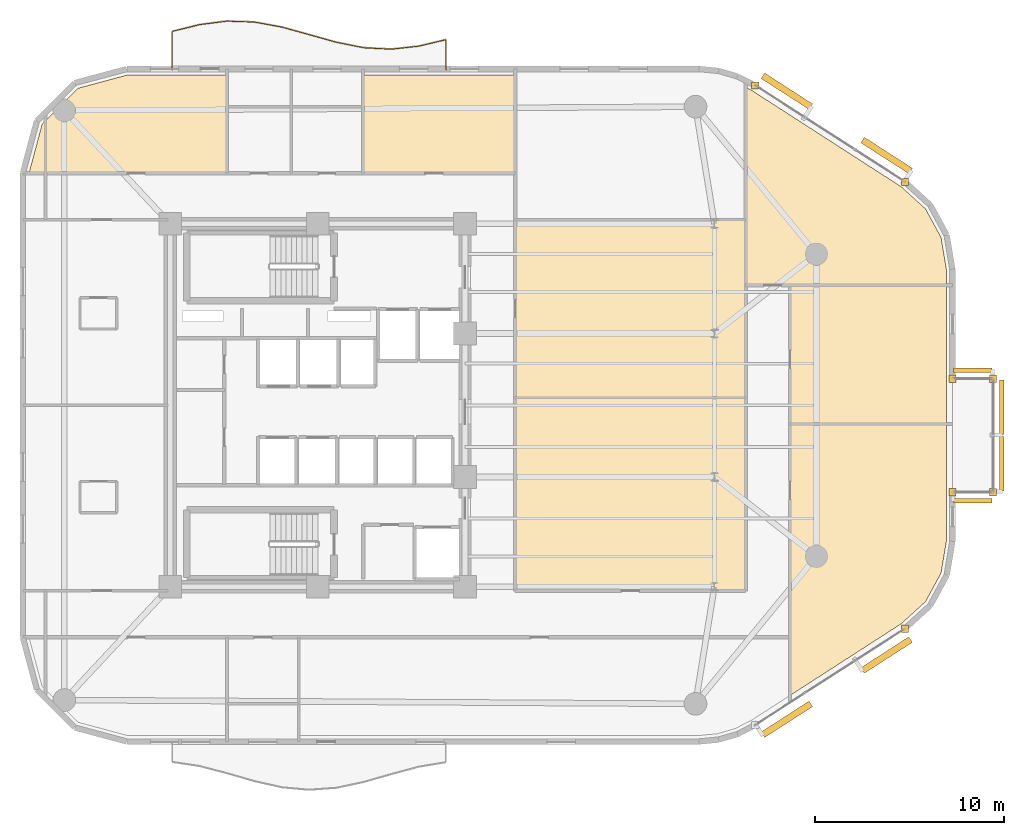
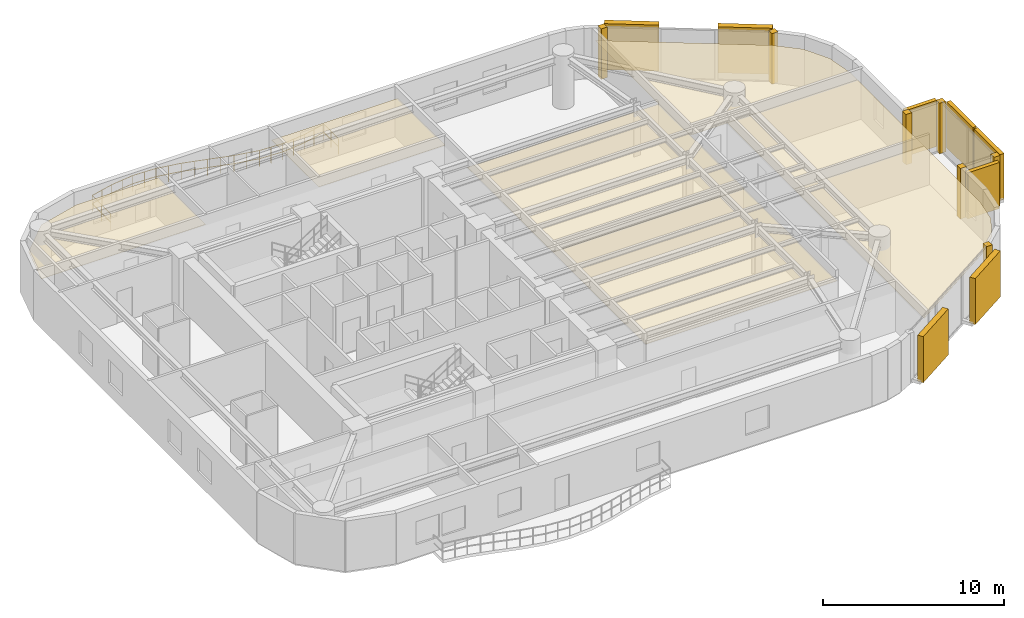
# One storey, part 16 of 16: 14 coverings, 8 shading devices, 1 railing.
"""IFC4 building model written with IfcOpenShell, lengths in metres."""

from ifc_helpers import new_model, si_unit, direction, frame, origin, origin_2d, place, context, subcontext, project, spatial, polyline, rectangle, circle, outline, extrude, material, layer, layer_set, type_object, element, save


model = new_model("IFC4")

# Units and contexts
model_context = context("Model", 3, precision=1e-05, world=origin(), true_north=direction((0.0, 1.0)))
body_context = subcontext(model_context, "Body", "Model", "MODEL_VIEW")
ifc_project = project(units=[si_unit("LENGTHUNIT", "METRE"), si_unit("AREAUNIT", "SQUARE_METRE"), si_unit("VOLUMEUNIT", "CUBIC_METRE"), si_unit("PLANEANGLEUNIT", "RADIAN"), si_unit("MASSUNIT", "GRAM", prefix="KILO")], contexts=[model_context])

# Site, building, storey
site_placement = place(None, origin())
site = spatial("IfcSite", under=ifc_project, at=site_placement, CompositionType="ELEMENT")
building_placement = place(site_placement, origin())
building = spatial("IfcBuilding", under=site, at=building_placement, Name="An Khanh Terracotta Commons", CompositionType="ELEMENT")
storey_placement = place(building_placement, frame((0.0, 0.0, 172.60009765625)))
storey = spatial("IfcBuildingStorey", under=building, at=storey_placement, Name="L45", CompositionType="ELEMENT", Elevation=172.60009765625)

# Coverings
ifc_material_1 = material(Name="Perforated Mineral-Fibre Acoustic Tile")
ifc_layer_1 = layer(ifc_material_1, 0.02001953125, Name="Perforated Mineral-Fibre Acoustic Tile")
ifc_layer_set_1 = layer_set([ifc_layer_1], Name="Perforated Mineral-Fibre Acoustic Tile")
covering_type_1 = type_object("IfcCoveringType", Name="CEIL-ACOUSTIC-18", PredefinedType="CEILING", material=ifc_layer_set_1)
covering_1_placement = place(storey_placement, frame((0.0, 0.0, 2.64990234375)))
element("IfcCovering", 1, at=covering_1_placement, inside=storey, type_object=covering_type_1, Name="L45 Riverfront Reading Hall Ceiling", PredefinedType="CEILING", context=body_context, shape_type="SweptSolid", body=[
    extrude(outline(polyline([(39.85009765625, 24.39990234375), (52.050048828125, 24.39990234375), (52.050048828125, 14.179931640625), (39.85009765625, 14.179931640625), (39.85009765625, 24.39990234375)])), origin(), (0.0, 0.0, 1.0), 0.02001953125),
])
covering_2_placement = place(storey_placement, frame((0.0, 0.0, 2.64990234375)))
element("IfcCovering", 2, at=covering_2_placement, inside=storey, type_object=covering_type_1, Name="L45 Academic Seminar Room Ceiling", PredefinedType="CEILING", context=body_context, shape_type="SweptSolid", body=[
    extrude(outline(polyline([(39.85009765625, 33.820068359375), (52.050048828125, 33.820068359375), (52.050048828125, 30.35009765625), (52.050048828125, 24.39990234375), (39.85009765625, 24.39990234375), (39.85009765625, 33.820068359375)])), origin(), (0.0, 0.0, 1.0), 0.02001953125),
])
covering_3_placement = place(storey_placement, frame((0.0, 0.0, 2.64990234375)))
element("IfcCovering", 3, at=covering_3_placement, inside=storey, type_object=covering_type_1, Name="L45 Collaborative Study Lounge Ceiling", PredefinedType="CEILING", context=body_context, shape_type="SweptSolid", body=[
    extrude(outline(polyline([(52.39892578125, 40.64697265625), (60.281982421875, 35.569091796875), (61.571044921875, 34.39697265625), (62.39111328125, 32.89111328125), (62.679931640625, 31.173095703125), (62.679931640625, 30.35009765625), (54.39990234375, 30.35009765625), (52.050048828125, 30.35009765625), (52.050048828125, 40.827880859375), (52.39892578125, 40.64697265625)])), origin(), (0.0, 0.0, 1.0), 0.02001953125),
])
covering_4_placement = place(storey_placement, frame((0.0, 0.0, 2.64990234375)))
element("IfcCovering", 4, at=covering_4_placement, inside=storey, type_object=covering_type_1, Name="L45 Collaborative Study Lounge Ceiling", PredefinedType="CEILING", context=body_context, shape_type="SweptSolid", body=[
    extrude(outline(polyline([(62.679931640625, 23.0), (54.39990234375, 23.0), (54.39990234375, 30.35009765625), (62.679931640625, 30.35009765625), (62.679931640625, 23.0)])), origin(), (0.0, 0.0, 1.0), 0.02001953125),
])
covering_5_placement = place(storey_placement, frame((0.0, 0.0, 2.64990234375)))
element("IfcCovering", 5, at=covering_5_placement, inside=storey, type_object=covering_type_1, Name="L45 Collaborative Study Lounge Ceiling", PredefinedType="CEILING", context=body_context, shape_type="SweptSolid", body=[
    extrude(outline(polyline([(62.679931640625, 16.826904296875), (62.39111328125, 15.10888671875), (61.571044921875, 13.60302734375), (60.281982421875, 12.430908203125), (54.39990234375, 8.64208984375), (54.39990234375, 11.719970703125), (54.39990234375, 14.179931640625), (54.39990234375, 23.0), (62.679931640625, 23.0), (62.679931640625, 16.826904296875)])), origin(), (0.0, 0.0, 1.0), 0.02001953125),
])
covering_6_placement = place(storey_placement, frame((0.0, 0.0, 2.64990234375)))
element("IfcCovering", 6, at=covering_6_placement, inside=storey, type_object=covering_type_1, Name="L45 Academic Seminar Room Ceiling", PredefinedType="CEILING", context=body_context, shape_type="SweptSolid", body=[
    extrude(outline(polyline([(24.60009765625, 41.47998046875), (24.60009765625, 39.800048828125), (24.60009765625, 36.280029296875), (15.0, 36.280029296875), (14.1259765625, 36.280029296875), (14.823974609375, 38.884033203125), (16.716064453125, 40.77587890625), (19.342041015625, 41.47998046875), (24.60009765625, 41.47998046875)])), origin(), (0.0, 0.0, 1.0), 0.02001953125),
])
covering_7_placement = place(storey_placement, frame((0.0, 0.0, 2.64990234375)))
element("IfcCovering", 7, at=covering_7_placement, inside=storey, type_object=covering_type_1, Name="L45 Academic Seminar Room Ceiling", PredefinedType="CEILING", context=body_context, shape_type="SweptSolid", body=[
    extrude(outline(polyline([(39.85009765625, 41.47998046875), (39.85009765625, 36.280029296875), (37.5, 36.280029296875), (31.800048828125, 36.280029296875), (31.800048828125, 39.800048828125), (31.800048828125, 41.47998046875), (39.85009765625, 41.47998046875)])), origin(), (0.0, 0.0, 1.0), 0.02001953125),
])
ifc_material_2 = material(Name="Fired Terracotta Rainscreen Cladding", Category="masonry")
ifc_layer_2 = layer(ifc_material_2, 0.080078125, Name="Fired Terracotta Rainscreen Cladding")
ifc_layer_set_2 = layer_set([ifc_layer_2], Name="Fired Terracotta Rainscreen Cladding")
covering_type_2 = type_object("IfcCoveringType", Name="COV-JAMB-TERRA", PredefinedType="CLADDING", material=ifc_layer_set_2)
for number, where, z_axis, x_axis, name in (
    (8, (60.47802734375, 12.176025390625, 0.0), (0.0, 0.0, 1.0), (1.0, 0.0, 0.0), "L45 CW-03 Curtain-Wall Jamb Closure JB"),
    (9, (65.14990234375, 19.39990234375, 0.0), (0.0, 0.0, 1.0), (1.0, 0.0, 0.0), "L45 CW-04 Curtain-Wall Jamb Closure JA"),
    (10, (65.14990234375, 25.39990234375, 0.0), (0.0, 0.0, 1.0), (1.0, 0.0, 0.0), "L45 CW-04 Curtain-Wall Jamb Closure JB"),
    (11, (63.0, 19.39990234375, 0.0), (0.0, 0.0, 1.0), (1.0, 0.0, 0.0), "L45 CW-04 Curtain-Wall Jamb Closure JA"),
    (12, (63.0, 25.39990234375, 0.0), (0.0, 0.0, 1.0), (1.0, 0.0, 0.0), "L45 CW-04 Curtain-Wall Jamb Closure JB"),
    (13, (60.47802734375, 35.823974609375, 0.0), (0.0, 0.0, 1.0), (1.0, 0.0, 0.0), "L45 CW-03 Curtain-Wall Jamb Closure JA"),
    (14, (52.56005859375, 40.924072265625, 0.0), (0.0, 0.0, 1.0), (1.0, 0.0, 0.0), "L45 CW-03 Curtain-Wall Jamb Closure JB"),
):
    element("IfcCovering", number, at=place(storey_placement, frame(where, z_axis=z_axis, x_axis=x_axis)), inside=storey, type_object=covering_type_2, Name=name, PredefinedType="CLADDING", context=body_context, shape_type="SweptSolid", body=[
        extrude(rectangle(XDim=0.3798828125, YDim=0.3798828125, at=origin_2d()), origin(), (0.0, 0.0, 1.0), 3.39990234375),
    ])

# Railing
ifc_material_3 = material(Name="Brushed Stainless Steel 316", Category="steel")
railing_type = type_object("IfcRailingType", Name="RAIL-BALUSTRADE-1100", PredefinedType="BALUSTRADE", material=ifc_material_3)
railing_placement = place(storey_placement, frame((36.199951171875, 41.739990234375, 0.0)))
element("IfcRailing", 15, at=railing_placement, inside=storey, type_object=railing_type, Name="L45 N Wave Balcony Guard Balustrade", PredefinedType="BALUSTRADE", context=body_context, shape_type="SweptSolid", body=[
    extrude(circle(Radius=0.02392578125, at=origin_2d()), frame((0.0, 0.0, 1.076171875), z_axis=(0.0, 1.0, 0.0), x_axis=(-1.0, 0.0, 0.0)), (0.0, 0.0, 1.0), 1.609130859375),
    extrude(circle(Radius=0.02392578125, at=origin_2d()), frame((0.0, 0.0, 0.52587890625), z_axis=(0.0, 1.0, 0.0), x_axis=(-1.0, 0.0, 0.0)), (0.0, 0.0, 1.0), 1.609130859375),
    extrude(circle(Radius=0.02392578125, at=origin_2d()), frame((0.0, 1.609130859375, 1.076171875), z_axis=(-0.972807972168, -0.231613145756, 0.0), x_axis=(0.231613145756, -0.972807972168, 0.0)), (0.0, 0.0, 1.0), 1.490478515625),
    extrude(circle(Radius=0.02392578125, at=origin_2d()), frame((0.0, 1.609130859375, 0.52587890625), z_axis=(-0.972807972168, -0.231613145756, 0.0), x_axis=(0.231613145756, -0.972807972168, 0.0)), (0.0, 0.0, 1.0), 1.490478515625),
    extrude(circle(Radius=0.02392578125, at=origin_2d()), frame((-1.449951171875, 1.263916015625, 1.076171875), z_axis=(-0.993973210964, -0.10962324519, 0.0), x_axis=(0.10962324519, -0.993973210964, 0.0)), (0.0, 0.0, 1.0), 1.458740234375),
    extrude(circle(Radius=0.02392578125, at=origin_2d()), frame((-1.449951171875, 1.263916015625, 0.52587890625), z_axis=(-0.993973210964, -0.10962324519, 0.0), x_axis=(0.10962324519, -0.993973210964, 0.0)), (0.0, 0.0, 1.0), 1.458740234375),
    extrude(circle(Radius=0.02392578125, at=origin_2d()), frame((-2.89990234375, 1.10400390625, 1.076171875), z_axis=(-0.998631729162, 0.052294067649, 0.0), x_axis=(-0.052294067649, -0.998631729162, 0.0)), (0.0, 0.0, 1.0), 1.451904296875),
    extrude(circle(Radius=0.02392578125, at=origin_2d()), frame((-2.89990234375, 1.10400390625, 0.52587890625), z_axis=(-0.998631729162, 0.052294067649, 0.0), x_axis=(-0.052294067649, -0.998631729162, 0.0)), (0.0, 0.0, 1.0), 1.451904296875),
    extrude(circle(Radius=0.02392578125, at=origin_2d()), frame((-4.349853515625, 1.179931640625, 1.076171875), z_axis=(-0.980959927552, 0.194210248283, 0.0), x_axis=(-0.194210248283, -0.980959927552, 0.0)), (0.0, 0.0, 1.0), 1.478271484375),
    extrude(circle(Radius=0.02392578125, at=origin_2d()), frame((-4.349853515625, 1.179931640625, 0.52587890625), z_axis=(-0.980959927552, 0.194210248283, 0.0), x_axis=(-0.194210248283, -0.980959927552, 0.0)), (0.0, 0.0, 1.0), 1.478271484375),
    extrude(circle(Radius=0.02392578125, at=origin_2d()), frame((-5.800048828125, 1.467041015625, 1.076171875), z_axis=(-0.96262321196, 0.270844146689, 0.0), x_axis=(-0.270844146689, -0.96262321196, 0.0)), (0.0, 0.0, 1.0), 1.50634765625),
    extrude(circle(Radius=0.02392578125, at=origin_2d()), frame((-5.800048828125, 1.467041015625, 0.52587890625), z_axis=(-0.96262321196, 0.270844146689, 0.0), x_axis=(-0.270844146689, -0.96262321196, 0.0)), (0.0, 0.0, 1.0), 1.50634765625),
    extrude(circle(Radius=0.02392578125, at=origin_2d()), frame((-7.25, 1.875, 1.076171875), z_axis=(-0.964006965361, 0.265876984216, 0.0), x_axis=(-0.265876984216, -0.964006965361, 0.0)), (0.0, 0.0, 1.0), 1.504150390625),
    extrude(circle(Radius=0.02392578125, at=origin_2d()), frame((-7.25, 1.875, 0.52587890625), z_axis=(-0.964006965361, 0.265876984216, 0.0), x_axis=(-0.265876984216, -0.964006965361, 0.0)), (0.0, 0.0, 1.0), 1.504150390625),
    extrude(circle(Radius=0.02392578125, at=origin_2d()), frame((-8.699951171875, 2.27490234375, 1.076171875), z_axis=(-0.983571778756, 0.180517467393, 0.0), x_axis=(-0.180517467393, -0.983571778756, 0.0)), (0.0, 0.0, 1.0), 1.47412109375),
    extrude(circle(Radius=0.02392578125, at=origin_2d()), frame((-8.699951171875, 2.27490234375, 0.52587890625), z_axis=(-0.983571778756, 0.180517467393, 0.0), x_axis=(-0.180517467393, -0.983571778756, 0.0)), (0.0, 0.0, 1.0), 1.47412109375),
    extrude(circle(Radius=0.02392578125, at=origin_2d()), frame((-10.14990234375, 2.541015625, 1.076171875), z_axis=(-0.999450310299, 0.033152333916, 0.0), x_axis=(-0.033152333916, -0.999450310299, 0.0)), (0.0, 0.0, 1.0), 1.45068359375),
    extrude(circle(Radius=0.02392578125, at=origin_2d()), frame((-10.14990234375, 2.541015625, 0.52587890625), z_axis=(-0.999450310299, 0.033152333916, 0.0), x_axis=(-0.033152333916, -0.999450310299, 0.0)), (0.0, 0.0, 1.0), 1.45068359375),
    extrude(circle(Radius=0.02392578125, at=origin_2d()), frame((-11.599853515625, 2.589111328125, 1.076171875), z_axis=(-0.991956026798, -0.126582940793, 0.0), x_axis=(0.126582940793, -0.991956026798, 0.0)), (0.0, 0.0, 1.0), 1.4619140625),
    extrude(circle(Radius=0.02392578125, at=origin_2d()), frame((-11.599853515625, 2.589111328125, 0.52587890625), z_axis=(-0.991956026798, -0.126582940793, 0.0), x_axis=(0.126582940793, -0.991956026798, 0.0)), (0.0, 0.0, 1.0), 1.4619140625),
    extrude(circle(Radius=0.02392578125, at=origin_2d()), frame((-13.050048828125, 2.404052734375, 1.076171875), z_axis=(-0.970516232323, -0.241035770782, 0.0), x_axis=(0.241035770782, -0.970516232323, 0.0)), (0.0, 0.0, 1.0), 1.493896484375),
    extrude(circle(Radius=0.02392578125, at=origin_2d()), frame((-13.050048828125, 2.404052734375, 0.52587890625), z_axis=(-0.970516232323, -0.241035770782, 0.0), x_axis=(0.241035770782, -0.970516232323, 0.0)), (0.0, 0.0, 1.0), 1.493896484375),
    extrude(circle(Radius=0.02392578125, at=origin_2d()), frame((-14.5, 2.0439453125, 1.076171875), z_axis=(0.0, -1.0, 0.0), x_axis=(1.0, 0.0, 0.0)), (0.0, 0.0, 1.0), 2.0439453125),
    extrude(circle(Radius=0.02392578125, at=origin_2d()), frame((-14.5, 2.0439453125, 0.52587890625), z_axis=(0.0, -1.0, 0.0), x_axis=(1.0, 0.0, 0.0)), (0.0, 0.0, 1.0), 2.0439453125),
    extrude(circle(Radius=0.02099609375, at=origin_2d()), origin(), (0.0, 0.0, 1.0), 1.052001953125),
    extrude(circle(Radius=0.02099609375, at=origin_2d()), frame((0.0, 0.8046875, 0.0)), (0.0, 0.0, 1.0), 1.052001953125),
    extrude(circle(Radius=0.02099609375, at=origin_2d()), frame((0.0, 1.609130859375, 0.0)), (0.0, 0.0, 1.0), 1.052001953125),
    extrude(circle(Radius=0.02099609375, at=origin_2d()), frame((-0.72509765625, 1.4365234375, 0.0)), (0.0, 0.0, 1.0), 1.052001953125),
    extrude(circle(Radius=0.02099609375, at=origin_2d()), frame((-1.449951171875, 1.263916015625, 0.0)), (0.0, 0.0, 1.0), 1.052001953125),
    extrude(circle(Radius=0.02099609375, at=origin_2d()), frame((-2.1748046875, 1.18408203125, 0.0)), (0.0, 0.0, 1.0), 1.052001953125),
    extrude(circle(Radius=0.02099609375, at=origin_2d()), frame((-2.89990234375, 1.10400390625, 0.0)), (0.0, 0.0, 1.0), 1.052001953125),
    extrude(circle(Radius=0.02099609375, at=origin_2d()), frame((-3.625, 1.14208984375, 0.0)), (0.0, 0.0, 1.0), 1.052001953125),
    extrude(circle(Radius=0.02099609375, at=origin_2d()), frame((-4.349853515625, 1.179931640625, 0.0)), (0.0, 0.0, 1.0), 1.052001953125),
    extrude(circle(Radius=0.02099609375, at=origin_2d()), frame((-5.074951171875, 1.323486328125, 0.0)), (0.0, 0.0, 1.0), 1.052001953125),
    extrude(circle(Radius=0.02099609375, at=origin_2d()), frame((-5.800048828125, 1.467041015625, 0.0)), (0.0, 0.0, 1.0), 1.052001953125),
    extrude(circle(Radius=0.02099609375, at=origin_2d()), frame((-6.52490234375, 1.6708984375, 0.0)), (0.0, 0.0, 1.0), 1.052001953125),
    extrude(circle(Radius=0.02099609375, at=origin_2d()), frame((-7.25, 1.875, 0.0)), (0.0, 0.0, 1.0), 1.052001953125),
    extrude(circle(Radius=0.02099609375, at=origin_2d()), frame((-7.97509765625, 2.074951171875, 0.0)), (0.0, 0.0, 1.0), 1.052001953125),
    extrude(circle(Radius=0.02099609375, at=origin_2d()), frame((-8.699951171875, 2.27490234375, 0.0)), (0.0, 0.0, 1.0), 1.052001953125),
    extrude(circle(Radius=0.02099609375, at=origin_2d()), frame((-9.4248046875, 2.407958984375, 0.0)), (0.0, 0.0, 1.0), 1.052001953125),
    extrude(circle(Radius=0.02099609375, at=origin_2d()), frame((-10.14990234375, 2.541015625, 0.0)), (0.0, 0.0, 1.0), 1.052001953125),
    extrude(circle(Radius=0.02099609375, at=origin_2d()), frame((-10.875, 2.56494140625, 0.0)), (0.0, 0.0, 1.0), 1.052001953125),
    extrude(circle(Radius=0.02099609375, at=origin_2d()), frame((-11.599853515625, 2.589111328125, 0.0)), (0.0, 0.0, 1.0), 1.052001953125),
    extrude(circle(Radius=0.02099609375, at=origin_2d()), frame((-12.324951171875, 2.49658203125, 0.0)), (0.0, 0.0, 1.0), 1.052001953125),
    extrude(circle(Radius=0.02099609375, at=origin_2d()), frame((-13.050048828125, 2.404052734375, 0.0)), (0.0, 0.0, 1.0), 1.052001953125),
    extrude(circle(Radius=0.02099609375, at=origin_2d()), frame((-13.77490234375, 2.22412109375, 0.0)), (0.0, 0.0, 1.0), 1.052001953125),
    extrude(circle(Radius=0.02099609375, at=origin_2d()), frame((-14.5, 2.0439453125, 0.0)), (0.0, 0.0, 1.0), 1.052001953125),
    extrude(circle(Radius=0.02099609375, at=origin_2d()), frame((-14.5, 1.02197265625, 0.0)), (0.0, 0.0, 1.0), 1.052001953125),
    extrude(circle(Radius=0.02099609375, at=origin_2d()), frame((-14.5, 0.0, 0.0)), (0.0, 0.0, 1.0), 1.052001953125),
])

# Shading devices
ifc_material_4 = material(Name="Warm Hardwood Timber-Finish Aluminium", Category="wood")
shading_device_type_1 = type_object("IfcShadingDeviceType", Name="Shifted Box Timber-Toned Louvre Screen", PredefinedType="USERDEFINED", material=ifc_material_4)
for number, where, z_axis, x_axis, name in (
    (16, (65.60009765625, 20.89990234375, 0.14990234375), (0.0, 0.0, 1.0), (0.0, 1.0, 0.0), "L45 Louvre Screen 1"),
    (17, (65.60009765625, 23.89990234375, 0.14990234375), (0.0, 0.0, 1.0), (0.0, 1.0, 0.0), "L45 Louvre Screen 2"),
):
    element("IfcShadingDevice", number, at=place(storey_placement, frame(where, z_axis=z_axis, x_axis=x_axis)), inside=storey, type_object=shading_device_type_1, Name=name, ObjectType="LOUVRE", PredefinedType="USERDEFINED", context=body_context, shape_type="SweptSolid", body=[
        extrude(rectangle(XDim=2.8798828125, YDim=0.25, at=origin_2d()), origin(), (0.0, 0.0, 1.0), 3.10009765625),
    ])
for number, where, z_axis, x_axis, name in (
    (18, (64.074951171875, 18.949951171875, 0.14990234375), (0.0, 0.0, 1.0), (1.0, 0.0, 0.0), "L45 Louvre Screen 1"),
    (19, (64.074951171875, 25.85009765625, 0.14990234375), (0.0, 0.0, 1.0), (-1.0, 0.0, 0.0), "L45 Louvre Screen 1"),
):
    element("IfcShadingDevice", number, at=place(storey_placement, frame(where, z_axis=z_axis, x_axis=x_axis)), inside=storey, type_object=shading_device_type_1, Name=name, ObjectType="LOUVRE", PredefinedType="USERDEFINED", context=body_context, shape_type="SweptSolid", body=[
        extrude(rectangle(XDim=2.030029296875, YDim=0.25, at=origin_2d()), origin(), (0.0, 0.0, 1.0), 3.10009765625),
    ])
ifc_material_5 = material(Name="Extruded Fired Terracotta", Category="masonry")
shading_device_type_2 = type_object("IfcShadingDeviceType", Name="Terracotta Baguette Screen Assembly", PredefinedType="USERDEFINED", material=ifc_material_5)
for number, where, z_axis, x_axis, name in (
    (20, (54.23193359375, 7.3798828125, 0.14990234375), (0.0, 0.0, 1.0), (0.840702081986, 0.541497931062, 0.0), "L45 Terracotta Baguette Screen 1"),
    (21, (59.510009765625, 10.780029296875, 0.14990234375), (0.0, 0.0, 1.0), (0.840702081986, 0.541497931062, 0.0), "L45 Terracotta Baguette Screen 3"),
    (22, (59.510009765625, 37.219970703125, 0.14990234375), (0.0, 0.0, 1.0), (-0.840702081986, 0.541497931062, 0.0), "L45 Terracotta Baguette Screen 1"),
    (23, (54.23193359375, 40.6201171875, 0.14990234375), (0.0, 0.0, 1.0), (-0.840702081986, 0.541497931062, 0.0), "L45 Terracotta Baguette Screen 3"),
):
    element("IfcShadingDevice", number, at=place(storey_placement, frame(where, z_axis=z_axis, x_axis=x_axis)), inside=storey, type_object=shading_device_type_2, Name=name, ObjectType="BAGUETTE", PredefinedType="USERDEFINED", context=body_context, shape_type="SweptSolid", body=[
        extrude(rectangle(XDim=3.01904296875, YDim=0.35009765625, at=origin_2d()), origin(), (0.0, 0.0, 1.0), 3.10009765625),
    ])

save(model, "model.ifc")
